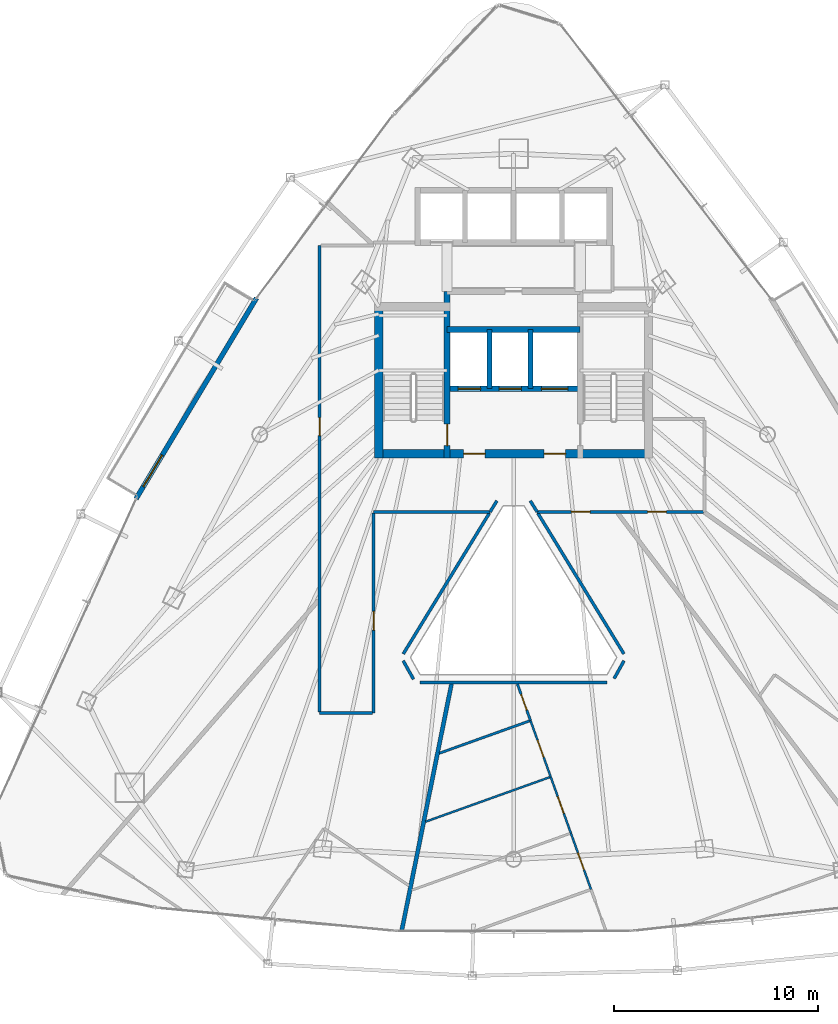
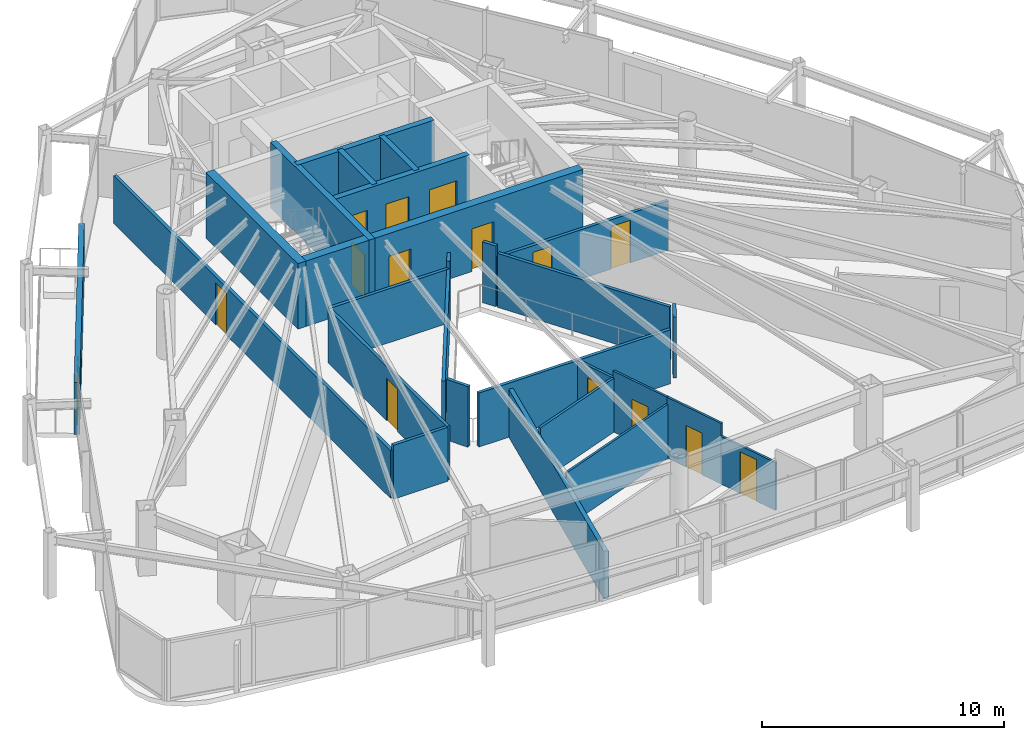
# One storey, part 25 of 30: 27 walls, 15 doors, 15 openings.
"""IFC4 building model written with IfcOpenShell, lengths in metres."""

from ifc_helpers import new_model, si_unit, direction, frame, frame_2d, origin, place, context, subcontext, project, spatial, rectangle, extrude, material, layer, layer_set, type_object, element, fill, save


model = new_model("IFC4")

# Units and contexts
model_context = context("Model", 3, precision=1e-05, world=origin(), true_north=direction((0.0, 1.0)))
body_context = subcontext(model_context, "Body", "Model", "MODEL_VIEW")
ifc_project = project(units=[si_unit("LENGTHUNIT", "METRE"), si_unit("AREAUNIT", "SQUARE_METRE"), si_unit("VOLUMEUNIT", "CUBIC_METRE"), si_unit("PLANEANGLEUNIT", "RADIAN"), si_unit("MASSUNIT", "GRAM", prefix="KILO")], contexts=[model_context])

# Site, building, storey
site_placement = place(None, origin())
site = spatial("IfcSite", under=ifc_project, at=site_placement, CompositionType="ELEMENT")
building_placement = place(site_placement, origin())
building = spatial("IfcBuilding", under=site, at=building_placement, Name="Orvanel Arch Residences", CompositionType="ELEMENT")
storey_placement = place(building_placement, frame((0.0, 0.0, 136.39990234375)))
storey = spatial("IfcBuildingStorey", under=building, at=storey_placement, Name="L38", CompositionType="ELEMENT", Elevation=136.39990234375)

# Wall, opening, door
ifc_material_1 = material(Name="Precast concrete N50 (50 MPa)", Category="concrete")
ifc_layer_1 = layer(ifc_material_1, 0.239990234375)
ifc_layer_set_1 = layer_set([ifc_layer_1], Name="Precast concrete N50 (50 MPa)")
wall_type_1 = type_object("IfcWallType", Name="EW-BAL-240", PredefinedType="SOLIDWALL", material=ifc_layer_set_1)
wall_1_placement = place(storey_placement, frame((20.407958984375, 34.326904296875, 0.0), z_axis=(0.0, 0.0, 1.0), x_axis=(-0.514364263751, -0.857571807009, 0.0)))
wall_1 = element("IfcWall", 1, at=wall_1_placement, inside=storey, type_object=wall_type_1, Name="L38 Balcony Threshold Wall Face 1", PredefinedType="SOLIDWALL", context=body_context, shape_type="SweptSolid", body=[
    extrude(rectangle(XDim=11.46826171875, YDim=0.239990234375, at=frame_2d((5.734130859375, 0.0))), origin(), (0.0, 0.0, 1.0), 2.6240234375),
])
opening_1_placement = place(wall_1_placement, frame((8.971923828125, 0.0, 0.0)))
opening_1 = element("IfcOpeningElement", 2, at=opening_1_placement, cuts=wall_1, Name="Opening DB-180", PredefinedType="OPENING", context=body_context, shape_type="SweptSolid", body=[
    extrude(rectangle(XDim=1.800048828125, YDim=2.199951171875, at=frame_2d((0.89990234375, 1.10009765625))), frame((0.0, 0.1298828125, 0.0), z_axis=(0.0, -1.0, 0.0), x_axis=(1.0, 0.0, 0.0)), (0.0, 0.0, 1.0), 0.260009765625),
])
ifc_material_2 = material(Name="Bronze-anodised aluminium AA6063-T6", Category="aluminium")
door_type_1 = type_object("IfcDoorType", Name="DR-BAL-1800", OperationType="NOTDEFINED", PredefinedType="DOOR", material=ifc_material_2)
door_1_placement = place(opening_1_placement, origin())
door_1 = element("IfcDoor", 3, at=door_1_placement, inside=storey, type_object=door_type_1, Name="DR-L38-BAL-F1 L38 Planted Balcony Access Door Face 1", OperationType="SINGLE_SWING_RIGHT", OverallHeight=2.199951171875, OverallWidth=1.800048828125, PredefinedType="DOOR", context=body_context, shape_type="SweptSolid", body=[
    extrude(rectangle(XDim=1.800048828125, YDim=2.199951171875, at=frame_2d((0.89990234375, 1.10009765625))), frame((0.0, 0.02490234375, 0.0), z_axis=(0.0, -1.0, 0.0), x_axis=(1.0, 0.0, 0.0)), (0.0, 0.0, 1.0), 0.050048828125),
])
fill(opening_1, door_1)

# Walls
ifc_material_3 = material(Name="Concrete N50 (50 MPa)", Category="concrete")
ifc_layer_2 = layer(ifc_material_3, 0.25)
ifc_layer_set_2 = layer_set([ifc_layer_2], Name="Concrete N50 (50 MPa)")
wall_type_2 = type_object("IfcWallType", Name="SW-CORE-250", PredefinedType="SHEAR", material=ifc_layer_set_2)
for number, where, z_axis, x_axis, name in (
    (4, (31.824951171875, 29.889892578125, 0.0), (0.0, 0.0, 1.0), (0.0, 1.0, 0.0), "L38 Emergency Lift Inter-Shaft Wall F12"),
    (5, (33.824951171875, 29.889892578125, 0.0), (0.0, 0.0, 1.0), (0.0, 1.0, 0.0), "L38 Emergency Lift Inter-Shaft Wall F2G"),
):
    element("IfcWall", number, at=place(storey_placement, frame(where, z_axis=z_axis, x_axis=x_axis)), inside=storey, type_object=wall_type_2, Name=name, PredefinedType="SHEAR", context=body_context, shape_type="SweptSolid", body=[
        extrude(rectangle(XDim=2.900146484375, YDim=0.25, at=frame_2d((1.4501953125, 0.0))), origin(), (0.0, 0.0, 1.0), 3.300048828125),
    ])

# Wall, opening, door
ifc_material_4 = material(Name="Concrete S65 (65 MPa)", Category="concrete")
ifc_layer_3 = layer(ifc_material_4, 0.280029296875)
ifc_layer_set_3 = layer_set([ifc_layer_3], Name="Concrete S65 (65 MPa)")
wall_type_3 = type_object("IfcWallType", Name="SW-CORE-280", PredefinedType="SHEAR", material=ifc_layer_set_3)
wall_2_placement = place(storey_placement, frame((29.739990234375, 26.5, 0.0), z_axis=(0.0, 0.0, 1.0), x_axis=(0.0, 1.0, 0.0)))
wall_2 = element("IfcWall", 6, at=wall_2_placement, inside=storey, type_object=wall_type_3, Name="L38 West Inner Core Spine Shear Wall", PredefinedType="SHEAR", context=body_context, shape_type="SweptSolid", body=[
    extrude(rectangle(XDim=8.14990234375, YDim=0.280029296875, at=frame_2d((4.074951171875, 0.0))), origin(), (0.0, 0.0, 1.0), 3.300048828125),
])
opening_2_placement = place(wall_2_placement, frame((0.60009765625, 0.0, 0.0)))
opening_2 = element("IfcOpeningElement", 7, at=opening_2_placement, cuts=wall_2, Name="Opening DF-120", PredefinedType="OPENING", context=body_context, shape_type="SweptSolid", body=[
    extrude(rectangle(XDim=1.050048828125, YDim=2.14990234375, at=frame_2d((0.52490234375, 1.074951171875))), frame((0.0, 0.14990234375, 0.0), z_axis=(0.0, -1.0, 0.0), x_axis=(1.0, 0.0, 0.0)), (0.0, 0.0, 1.0), 0.300048828125),
])
ifc_material_5 = material(Name="Galvanised steel fire-resisting door assembly", Category="steel")
door_type_2 = type_object("IfcDoorType", Name="DR-FD120-1050", OperationType="NOTDEFINED", PredefinedType="DOOR", material=ifc_material_5)
door_2_placement = place(opening_2_placement, origin())
door_2 = element("IfcDoor", 8, at=door_2_placement, inside=storey, type_object=door_type_2, Name="DR-L38-ST1 L38 Stair 1 Fire Door", OperationType="SINGLE_SWING_LEFT", OverallHeight=2.14990234375, OverallWidth=1.050048828125, PredefinedType="DOOR", context=body_context, shape_type="SweptSolid", body=[
    extrude(rectangle(XDim=1.050048828125, YDim=2.14990234375, at=frame_2d((0.52490234375, 1.074951171875))), frame((0.0, 0.02490234375, 0.0), z_axis=(0.0, -1.0, 0.0), x_axis=(1.0, 0.0, 0.0)), (0.0, 0.0, 1.0), 0.050048828125),
])
fill(opening_2, door_2)

# Wall, openings, doors
wall_3_placement = place(storey_placement, frame((36.260009765625, 29.889892578125, 0.0), z_axis=(0.0, 0.0, 1.0), x_axis=(-1.0, 0.0, 0.0)))
wall_3 = element("IfcWall", 9, at=wall_3_placement, inside=storey, type_object=wall_type_3, Name="L38 Emergency Lift Front Core Shear Wall", PredefinedType="SHEAR", context=body_context, shape_type="SweptSolid", body=[
    extrude(rectangle(XDim=6.52001953125, YDim=0.280029296875, at=frame_2d((3.260009765625, 0.0))), origin(), (0.0, 0.0, 1.0), 3.300048828125),
])
opening_3_placement = place(wall_3_placement, frame((4.875, 0.0, 0.0)))
opening_3 = element("IfcOpeningElement", 10, at=opening_3_placement, cuts=wall_3, Name="Opening LD-110", PredefinedType="OPENING", context=body_context, shape_type="SweptSolid", body=[
    extrude(rectangle(XDim=1.10009765625, YDim=2.199951171875, at=frame_2d((0.550048828125, 1.10009765625))), frame((0.0, 0.14990234375, 0.0), z_axis=(0.0, -1.0, 0.0), x_axis=(1.0, 0.0, 0.0)), (0.0, 0.0, 1.0), 0.300048828125),
])
opening_4_placement = place(wall_3_placement, frame((2.875, 0.0, 0.0)))
opening_4 = element("IfcOpeningElement", 11, at=opening_4_placement, cuts=wall_3, Name="Opening LD-110", PredefinedType="OPENING", context=body_context, shape_type="SweptSolid", body=[
    extrude(rectangle(XDim=1.10009765625, YDim=2.199951171875, at=frame_2d((0.550048828125, 1.10009765625))), frame((0.0, 0.14990234375, 0.0), z_axis=(0.0, -1.0, 0.0), x_axis=(1.0, 0.0, 0.0)), (0.0, 0.0, 1.0), 0.300048828125),
])
opening_5_placement = place(wall_3_placement, frame((0.60009765625, 0.0, 0.0)))
opening_5 = element("IfcOpeningElement", 12, at=opening_5_placement, cuts=wall_3, Name="Opening LD-130", PredefinedType="OPENING", context=body_context, shape_type="SweptSolid", body=[
    extrude(rectangle(XDim=1.300048828125, YDim=2.199951171875, at=frame_2d((0.64990234375, 1.10009765625))), frame((0.0, 0.14990234375, 0.0), z_axis=(0.0, -1.0, 0.0), x_axis=(1.0, 0.0, 0.0)), (0.0, 0.0, 1.0), 0.300048828125),
])
door_type_3 = type_object("IfcDoorType", Name="DR-LFT-1100", OperationType="NOTDEFINED", PredefinedType="DOOR", material=ifc_material_5)
door_3_placement = place(opening_3_placement, origin())
door_3 = element("IfcDoor", 13, at=door_3_placement, inside=storey, type_object=door_type_3, Name="LD-F1-L38 L38 Lift F1 Sliding Landing Door", OperationType="DOUBLE_DOOR_SLIDING", OverallHeight=2.199951171875, OverallWidth=1.10009765625, PredefinedType="DOOR", context=body_context, shape_type="SweptSolid", body=[
    extrude(rectangle(XDim=1.10009765625, YDim=2.199951171875, at=frame_2d((0.550048828125, 1.10009765625))), frame((0.0, 0.02490234375, 0.0), z_axis=(0.0, -1.0, 0.0), x_axis=(1.0, 0.0, 0.0)), (0.0, 0.0, 1.0), 0.050048828125),
])
fill(opening_3, door_3)
door_4_placement = place(opening_4_placement, origin())
door_4 = element("IfcDoor", 14, at=door_4_placement, inside=storey, type_object=door_type_3, Name="LD-F2-L38 L38 Lift F2 Sliding Landing Door", OperationType="DOUBLE_DOOR_SLIDING", OverallHeight=2.199951171875, OverallWidth=1.10009765625, PredefinedType="DOOR", context=body_context, shape_type="SweptSolid", body=[
    extrude(rectangle(XDim=1.10009765625, YDim=2.199951171875, at=frame_2d((0.550048828125, 1.10009765625))), frame((0.0, 0.02490234375, 0.0), z_axis=(0.0, -1.0, 0.0), x_axis=(1.0, 0.0, 0.0)), (0.0, 0.0, 1.0), 0.050048828125),
])
fill(opening_4, door_4)
door_type_4 = type_object("IfcDoorType", Name="DR-LFT-1300", OperationType="NOTDEFINED", PredefinedType="DOOR", material=ifc_material_5)
door_5_placement = place(opening_5_placement, origin())
door_5 = element("IfcDoor", 15, at=door_5_placement, inside=storey, type_object=door_type_4, Name="LD-G1-L38 L38 Lift G1 Sliding Landing Door", OperationType="DOUBLE_DOOR_SLIDING", OverallHeight=2.199951171875, OverallWidth=1.300048828125, PredefinedType="DOOR", context=body_context, shape_type="SweptSolid", body=[
    extrude(rectangle(XDim=1.300048828125, YDim=2.199951171875, at=frame_2d((0.64990234375, 1.10009765625))), frame((0.0, 0.02490234375, 0.0), z_axis=(0.0, -1.0, 0.0), x_axis=(1.0, 0.0, 0.0)), (0.0, 0.0, 1.0), 0.050048828125),
])
fill(opening_5, door_5)

# Wall
wall_4_placement = place(storey_placement, frame((29.739990234375, 32.7900390625, 0.0), z_axis=(0.0, 0.0, 1.0), x_axis=(1.0, 0.0, 0.0)))
element("IfcWall", 16, at=wall_4_placement, inside=storey, type_object=wall_type_3, Name="L38 Emergency Lift Back Core Shear Wall", PredefinedType="SHEAR", context=body_context, shape_type="SweptSolid", body=[
    extrude(rectangle(XDim=6.52001953125, YDim=0.280029296875, at=frame_2d((3.260009765625, 0.0))), origin(), (0.0, 0.0, 1.0), 3.300048828125),
])

# Wall, openings, doors
ifc_layer_4 = layer(ifc_material_4, 0.39990234375)
ifc_layer_set_4 = layer_set([ifc_layer_4], Name="Concrete S65 (65 MPa)")
wall_type_4 = type_object("IfcWallType", Name="SW-CORE-400", PredefinedType="SHEAR", material=ifc_layer_set_4)
wall_5_placement = place(storey_placement, frame((26.199951171875, 26.699951171875, 0.0), z_axis=(0.0, 0.0, 1.0), x_axis=(1.0, 0.0, 0.0)))
wall_5 = element("IfcWall", 17, at=wall_5_placement, inside=storey, type_object=wall_type_4, Name="L38 South Core Shear Wall", PredefinedType="SHEAR", context=body_context, shape_type="SweptSolid", body=[
    extrude(rectangle(XDim=13.60009765625, YDim=0.39990234375, at=frame_2d((6.800048828125, 0.0))), origin(), (0.0, 0.0, 1.0), 3.300048828125),
])
opening_6_placement = place(wall_5_placement, frame((4.35009765625, 0.0, 0.0)))
opening_6 = element("IfcOpeningElement", 18, at=opening_6_placement, cuts=wall_5, Name="Opening DF-060", PredefinedType="OPENING", context=body_context, shape_type="SweptSolid", body=[
    extrude(rectangle(XDim=1.050048828125, YDim=2.14990234375, at=frame_2d((0.52490234375, 1.074951171875))), frame((0.0, 0.2099609375, 0.0), z_axis=(0.0, -1.0, 0.0), x_axis=(1.0, 0.0, 0.0)), (0.0, 0.0, 1.0), 0.419921875),
])
opening_7_placement = place(wall_5_placement, frame((8.300048828125, 0.0, 0.0)))
opening_7 = element("IfcOpeningElement", 19, at=opening_7_placement, cuts=wall_5, Name="Opening DF-060", PredefinedType="OPENING", context=body_context, shape_type="SweptSolid", body=[
    extrude(rectangle(XDim=1.050048828125, YDim=2.14990234375, at=frame_2d((0.52490234375, 1.074951171875))), frame((0.0, 0.2099609375, 0.0), z_axis=(0.0, -1.0, 0.0), x_axis=(1.0, 0.0, 0.0)), (0.0, 0.0, 1.0), 0.419921875),
])
door_type_5 = type_object("IfcDoorType", Name="DR-FD60-1050", OperationType="NOTDEFINED", PredefinedType="DOOR", material=ifc_material_5)
door_6_placement = place(opening_6_placement, origin())
door_6 = element("IfcDoor", 20, at=door_6_placement, inside=storey, type_object=door_type_5, Name="DR-L38-FFL-W L38 West Smoke Lobby Door", OperationType="SINGLE_SWING_LEFT", OverallHeight=2.14990234375, OverallWidth=1.050048828125, PredefinedType="DOOR", context=body_context, shape_type="SweptSolid", body=[
    extrude(rectangle(XDim=1.050048828125, YDim=2.14990234375, at=frame_2d((0.52490234375, 1.074951171875))), frame((0.0, 0.02490234375, 0.0), z_axis=(0.0, -1.0, 0.0), x_axis=(1.0, 0.0, 0.0)), (0.0, 0.0, 1.0), 0.050048828125),
])
fill(opening_6, door_6)
door_7_placement = place(opening_7_placement, origin())
door_7 = element("IfcDoor", 21, at=door_7_placement, inside=storey, type_object=door_type_5, Name="DR-L38-FFL-E L38 East Smoke Lobby Door", OperationType="SINGLE_SWING_RIGHT", OverallHeight=2.14990234375, OverallWidth=1.050048828125, PredefinedType="DOOR", context=body_context, shape_type="SweptSolid", body=[
    extrude(rectangle(XDim=1.050048828125, YDim=2.14990234375, at=frame_2d((0.52490234375, 1.074951171875))), frame((0.0, 0.02490234375, 0.0), z_axis=(0.0, -1.0, 0.0), x_axis=(1.0, 0.0, 0.0)), (0.0, 0.0, 1.0), 0.050048828125),
])
fill(opening_7, door_7)

# Walls
wall_6_placement = place(storey_placement, frame((26.39990234375, 26.5, 0.0), z_axis=(0.0, 0.0, 1.0), x_axis=(0.0, 1.0, 0.0)))
element("IfcWall", 22, at=wall_6_placement, inside=storey, type_object=wall_type_4, Name="L38 West Stair Shear Wall", PredefinedType="SHEAR", context=body_context, shape_type="SweptSolid", body=[
    extrude(rectangle(XDim=7.60009765625, YDim=0.39990234375, at=frame_2d((3.800048828125, 0.0))), origin(), (0.0, 0.0, 1.0), 3.300048828125),
])
ifc_material_6 = material(Name="Fire-rated plasterboard lined steel stud partition", Category="steel")
ifc_layer_5 = layer(ifc_material_6, 0.14990234375)
ifc_layer_set_5 = layer_set([ifc_layer_5], Name="Fire-rated plasterboard lined steel stud partition")
wall_type_5 = type_object("IfcWallType", Name="W-COR-150", PredefinedType="PARTITIONING", material=ifc_layer_set_5)
wall_7_placement = place(storey_placement, frame((32.18310546875, 24.39599609375, 0.0), z_axis=(0.0, 0.0, 1.0), x_axis=(-0.527674894897, -0.849446411079, 0.0)))
element("IfcWall", 23, at=wall_7_placement, inside=storey, type_object=wall_type_5, Name="L38 Corridor Fire-Rated Partition", PredefinedType="PARTITIONING", context=body_context, shape_type="SweptSolid", body=[
    extrude(rectangle(XDim=0.642578125, YDim=0.14990234375, at=frame_2d((0.3212890625, 0.0))), origin(), (0.0, 0.0, 1.0), 3.06005859375),
])
wall_8_placement = place(storey_placement, frame((31.843994140625, 23.85009765625, 0.0), z_axis=(0.0, 0.0, 1.0), x_axis=(-1.0, 0.0, 0.0)))
element("IfcWall", 24, at=wall_8_placement, inside=storey, type_object=wall_type_5, Name="L38 Corridor Fire-Rated Partition", PredefinedType="PARTITIONING", context=body_context, shape_type="SweptSolid", body=[
    extrude(rectangle(XDim=5.694091796875, YDim=0.14990234375, at=frame_2d((2.84716796875, 0.0))), origin(), (0.0, 0.0, 1.0), 2.72119140625),
])

# Wall, opening, door
wall_9_placement = place(storey_placement, frame((26.14990234375, 23.7900390625, 0.0), z_axis=(0.0, 0.0, 1.0), x_axis=(0.0, -1.0, 0.0)))
wall_9 = element("IfcWall", 25, at=wall_9_placement, inside=storey, type_object=wall_type_5, Name="L38 Corridor Fire-Rated Partition", PredefinedType="PARTITIONING", context=body_context, shape_type="SweptSolid", body=[
    extrude(rectangle(XDim=9.7900390625, YDim=0.14990234375, at=frame_2d((4.89501953125, 0.0))), origin(), (0.0, 0.0, 1.0), 2.72119140625),
])
opening_8_placement = place(wall_9_placement, frame((4.80908203125, 0.0, 0.0)))
opening_8 = element("IfcOpeningElement", 26, at=opening_8_placement, cuts=wall_9, Name="Opening DA-092", PredefinedType="OPENING", context=body_context, shape_type="SweptSolid", body=[
    extrude(rectangle(XDim=0.919921875, YDim=2.14990234375, at=frame_2d((0.4599609375, 1.074951171875))), frame((0.0, 0.0849609375, 0.0), z_axis=(0.0, -1.0, 0.0), x_axis=(1.0, 0.0, 0.0)), (0.0, 0.0, 1.0), 0.169921875),
])
ifc_material_7 = material(Name="Solid-core European oak veneer fire door leaf", Category="wood")
door_type_6 = type_object("IfcDoorType", Name="DR-APT-920", OperationType="NOTDEFINED", PredefinedType="DOOR", material=ifc_material_7)
door_8_placement = place(opening_8_placement, origin())
door_8 = element("IfcDoor", 27, at=door_8_placement, inside=storey, type_object=door_type_6, Name="DR-L38-D-ENT L38 Studio D Entrance Door", OperationType="SINGLE_SWING_LEFT", OverallHeight=2.14990234375, OverallWidth=0.919921875, PredefinedType="DOOR", context=body_context, shape_type="SweptSolid", body=[
    extrude(rectangle(XDim=0.919921875, YDim=2.14990234375, at=frame_2d((0.4599609375, 1.074951171875))), frame((0.0, 0.02490234375, 0.0), z_axis=(0.0, -1.0, 0.0), x_axis=(1.0, 0.0, 0.0)), (0.0, 0.0, 1.0), 0.050048828125),
])
fill(opening_8, door_8)

# Wall
wall_10_placement = place(storey_placement, frame((26.090087890625, 14.0, 0.0), z_axis=(0.0, 0.0, 1.0), x_axis=(-1.0, 0.0, 0.0)))
element("IfcWall", 28, at=wall_10_placement, inside=storey, type_object=wall_type_5, Name="L38 Corridor Fire-Rated Partition", PredefinedType="PARTITIONING", context=body_context, shape_type="SweptSolid", body=[
    extrude(rectangle(XDim=2.590087890625, YDim=0.14990234375, at=frame_2d((1.294921875, 0.0))), origin(), (0.0, 0.0, 1.0), 2.72119140625),
])

# Wall, opening, door
wall_11_placement = place(storey_placement, frame((23.5, 14.06005859375, 0.0), z_axis=(0.0, 0.0, 1.0), x_axis=(0.0, 1.0, 0.0)))
wall_11 = element("IfcWall", 29, at=wall_11_placement, inside=storey, type_object=wall_type_5, Name="L38 Corridor Fire-Rated Partition", PredefinedType="PARTITIONING", context=body_context, shape_type="SweptSolid", body=[
    extrude(rectangle(XDim=22.83984375, YDim=0.14990234375, at=frame_2d((11.419921875, 0.0))), origin(), (0.0, 0.0, 1.0), 2.4130859375),
])
opening_9_placement = place(wall_11_placement, frame((13.532958984375, 0.0, 0.0)))
opening_9 = element("IfcOpeningElement", 30, at=opening_9_placement, cuts=wall_11, Name="Opening DI-088", PredefinedType="OPENING", context=body_context, shape_type="SweptSolid", body=[
    extrude(rectangle(XDim=0.8798828125, YDim=2.10009765625, at=frame_2d((0.43994140625, 1.050048828125))), frame((0.0, 0.0849609375, 0.0), z_axis=(0.0, -1.0, 0.0), x_axis=(1.0, 0.0, 0.0)), (0.0, 0.0, 1.0), 0.169921875),
])
door_type_7 = type_object("IfcDoorType", Name="DR-INT-880", OperationType="NOTDEFINED", PredefinedType="DOOR", material=ifc_material_7)
door_9_placement = place(opening_9_placement, origin())
door_9 = element("IfcDoor", 31, at=door_9_placement, inside=storey, type_object=door_type_7, Name="DR-L38-SHRD-FB3 L38 Co-Working Study Office C Door", OperationType="SINGLE_SWING_LEFT", OverallHeight=2.10009765625, OverallWidth=0.8798828125, PredefinedType="DOOR", context=body_context, shape_type="SweptSolid", body=[
    extrude(rectangle(XDim=0.8798828125, YDim=2.10009765625, at=frame_2d((0.43994140625, 1.050048828125))), frame((0.0, 0.02490234375, 0.0), z_axis=(0.0, -1.0, 0.0), x_axis=(1.0, 0.0, 0.0)), (0.0, 0.0, 1.0), 0.050048828125),
])
fill(opening_9, door_9)

# Wall, openings, doors
wall_12_placement = place(storey_placement, frame((42.2900390625, 23.85009765625, 0.0), z_axis=(0.0, 0.0, 1.0), x_axis=(-1.0, 0.0, 0.0)))
wall_12 = element("IfcWall", 32, at=wall_12_placement, inside=storey, type_object=wall_type_5, Name="L38 Corridor Fire-Rated Partition", PredefinedType="PARTITIONING", context=body_context, shape_type="SweptSolid", body=[
    extrude(rectangle(XDim=8.134033203125, YDim=0.14990234375, at=frame_2d((4.06689453125, 0.0))), origin(), (0.0, 0.0, 1.0), 2.4921875),
])
opening_10_placement = place(wall_12_placement, frame((5.5458984375, 0.0, 0.0)))
opening_10 = element("IfcOpeningElement", 33, at=opening_10_placement, cuts=wall_12, Name="Opening DA-092", PredefinedType="OPENING", context=body_context, shape_type="SweptSolid", body=[
    extrude(rectangle(XDim=0.919921875, YDim=2.14990234375, at=frame_2d((0.4599609375, 1.074951171875))), frame((0.0, 0.0849609375, 0.0), z_axis=(0.0, -1.0, 0.0), x_axis=(1.0, 0.0, 0.0)), (0.0, 0.0, 1.0), 0.169921875),
])
opening_11_placement = place(wall_12_placement, frame((1.806884765625, 0.0, 0.0)))
opening_11 = element("IfcOpeningElement", 34, at=opening_11_placement, cuts=wall_12, Name="Opening DA-092", PredefinedType="OPENING", context=body_context, shape_type="SweptSolid", body=[
    extrude(rectangle(XDim=0.919921875, YDim=2.14990234375, at=frame_2d((0.4599609375, 1.074951171875))), frame((0.0, 0.0849609375, 0.0), z_axis=(0.0, -1.0, 0.0), x_axis=(1.0, 0.0, 0.0)), (0.0, 0.0, 1.0), 0.169921875),
])
door_10_placement = place(opening_10_placement, origin())
door_10 = element("IfcDoor", 35, at=door_10_placement, inside=storey, type_object=door_type_6, Name="DR-L38-A-ENT L38 Flat A Entrance Door", OperationType="SINGLE_SWING_RIGHT", OverallHeight=2.14990234375, OverallWidth=0.919921875, PredefinedType="DOOR", context=body_context, shape_type="SweptSolid", body=[
    extrude(rectangle(XDim=0.919921875, YDim=2.14990234375, at=frame_2d((0.4599609375, 1.074951171875))), frame((0.0, 0.02490234375, 0.0), z_axis=(0.0, -1.0, 0.0), x_axis=(1.0, 0.0, 0.0)), (0.0, 0.0, 1.0), 0.050048828125),
])
fill(opening_10, door_10)
door_11_placement = place(opening_11_placement, origin())
door_11 = element("IfcDoor", 36, at=door_11_placement, inside=storey, type_object=door_type_6, Name="DR-L38-E-ENT L38 Studio E Entrance Door", OperationType="SINGLE_SWING_RIGHT", OverallHeight=2.14990234375, OverallWidth=0.919921875, PredefinedType="DOOR", context=body_context, shape_type="SweptSolid", body=[
    extrude(rectangle(XDim=0.919921875, YDim=2.14990234375, at=frame_2d((0.4599609375, 1.074951171875))), frame((0.0, 0.02490234375, 0.0), z_axis=(0.0, -1.0, 0.0), x_axis=(1.0, 0.0, 0.0)), (0.0, 0.0, 1.0), 0.050048828125),
])
fill(opening_11, door_11)

# Walls
wall_13_placement = place(storey_placement, frame((34.156005859375, 23.85107421875, 0.0), z_axis=(0.0, 0.0, 1.0), x_axis=(-0.528356729584, 0.849022476913, 0.0)))
element("IfcWall", 37, at=wall_13_placement, inside=storey, type_object=wall_type_5, Name="L38 Corridor Fire-Rated Partition", PredefinedType="PARTITIONING", context=body_context, shape_type="SweptSolid", body=[
    extrude(rectangle(XDim=0.641845703125, YDim=0.14990234375, at=frame_2d((0.32080078125, 0.0))), origin(), (0.0, 0.0, 1.0), 3.06005859375),
])
wall_14_placement = place(storey_placement, frame((34.18798828125, 23.7900390625, 0.0), z_axis=(0.0, 0.0, 1.0), x_axis=(0.521816809014, -0.853057570057, 0.0)))
element("IfcWall", 38, at=wall_14_placement, inside=storey, type_object=wall_type_5, Name="L38 Atrium Overlook Glazed Partition", PredefinedType="PARTITIONING", context=body_context, shape_type="SweptSolid", body=[
    extrude(rectangle(XDim=8.075927734375, YDim=0.14990234375, at=frame_2d((4.0380859375, 0.0))), origin(), (0.0, 0.0, 1.0), 2.72119140625),
])
wall_15_placement = place(storey_placement, frame((38.407958984375, 16.56494140625, 0.0), z_axis=(0.0, 0.0, 1.0), x_axis=(-0.48761814532, -0.873057010942, 0.0)))
element("IfcWall", 39, at=wall_15_placement, inside=storey, type_object=wall_type_5, Name="L38 Atrium Overlook Glazed Partition", PredefinedType="PARTITIONING", context=body_context, shape_type="SweptSolid", body=[
    extrude(rectangle(XDim=0.996337890625, YDim=0.14990234375, at=frame_2d((0.498046875, 0.0))), origin(), (0.0, 0.0, 1.0), 3.06005859375),
])
wall_16_placement = place(storey_placement, frame((37.573974609375, 15.490966796875, 0.0), z_axis=(0.0, 0.0, 1.0), x_axis=(-1.0, 0.0, 0.0)))
element("IfcWall", 40, at=wall_16_placement, inside=storey, type_object=wall_type_5, Name="L38 Atrium Overlook Glazed Partition", PredefinedType="PARTITIONING", context=body_context, shape_type="SweptSolid", body=[
    extrude(rectangle(XDim=9.14794921875, YDim=0.14990234375, at=frame_2d((4.573974609375, 0.0))), origin(), (0.0, 0.0, 1.0), 2.72119140625),
])
wall_17_placement = place(storey_placement, frame((28.097900390625, 15.662109375, 0.0), z_axis=(0.0, 0.0, 1.0), x_axis=(-0.488804496818, 0.872393353878, 0.0)))
element("IfcWall", 41, at=wall_17_placement, inside=storey, type_object=wall_type_5, Name="L38 Atrium Overlook Glazed Partition", PredefinedType="PARTITIONING", context=body_context, shape_type="SweptSolid", body=[
    extrude(rectangle(XDim=1.034912109375, YDim=0.14990234375, at=frame_2d((0.517578125, 0.0))), origin(), (0.0, 0.0, 1.0), 3.06005859375),
])
wall_18_placement = place(storey_placement, frame((27.597900390625, 16.90087890625, 0.0), z_axis=(0.0, 0.0, 1.0), x_axis=(0.521816809014, 0.853057570057, 0.0)))
element("IfcWall", 42, at=wall_18_placement, inside=storey, type_object=wall_type_5, Name="L38 Atrium Overlook Glazed Partition", PredefinedType="PARTITIONING", context=body_context, shape_type="SweptSolid", body=[
    extrude(rectangle(XDim=8.075927734375, YDim=0.14990234375, at=frame_2d((4.0380859375, 0.0))), origin(), (0.0, 0.0, 1.0), 2.72119140625),
])
ifc_layer_6 = layer(ifc_material_6, 0.199951171875)
ifc_layer_set_6 = layer_set([ifc_layer_6], Name="Fire-rated plasterboard lined steel stud partition")
wall_type_6 = type_object("IfcWallType", Name="W-DEM-200", PredefinedType="PARTITIONING", material=ifc_layer_set_6)
wall_19_placement = place(storey_placement, frame((27.52099609375, 3.342041015625, 0.0), z_axis=(0.0, 0.0, 1.0), x_axis=(0.197768112081, 0.980248832615, 0.0)))
element("IfcWall", 43, at=wall_19_placement, inside=storey, type_object=wall_type_6, Name="L38 Inter-Tenancy Acoustic Demising Wall", PredefinedType="PARTITIONING", context=body_context, shape_type="SweptSolid", body=[
    extrude(rectangle(XDim=12.33251953125, YDim=0.199951171875, at=frame_2d((6.166259765625, 0.0))), origin(), (0.0, 0.0, 1.0), 2.4130859375),
])

# Wall, opening, door
ifc_material_8 = material(Name="Acoustic plasterboard lined twin-stud partition", Category="gypsum")
ifc_layer_7 = layer(ifc_material_8, 0.10009765625)
ifc_layer_set_7 = layer_set([ifc_layer_7], Name="Acoustic plasterboard lined twin-stud partition")
wall_type_7 = type_object("IfcWallType", Name="W-INT-100", PredefinedType="PARTITIONING", material=ifc_layer_set_7)
wall_20_placement = place(storey_placement, frame((36.7919921875, 5.365966796875, 0.0), z_axis=(0.0, 0.0, 1.0), x_axis=(-0.33735537207, 0.941377370099, 0.0)))
wall_20 = element("IfcWall", 44, at=wall_20_placement, inside=storey, type_object=wall_type_7, Name="L38 Flat A Internal Partition", PredefinedType="PARTITIONING", context=body_context, shape_type="SweptSolid", body=[
    extrude(rectangle(XDim=2.9287109375, YDim=0.10009765625, at=frame_2d((1.46435546875, 0.0))), origin(), (0.0, 0.0, 1.0), 2.4130859375),
])
opening_12_placement = place(wall_20_placement, frame((1.02392578125, 0.0, 0.0)))
opening_12 = element("IfcOpeningElement", 45, at=opening_12_placement, cuts=wall_20, Name="Opening DI-088", PredefinedType="OPENING", context=body_context, shape_type="SweptSolid", body=[
    extrude(rectangle(XDim=0.8798828125, YDim=2.10009765625, at=frame_2d((0.43994140625, 1.050048828125))), frame((0.0, 0.06005859375, 0.0), z_axis=(0.0, -1.0, 0.0), x_axis=(1.0, 0.0, 0.0)), (0.0, 0.0, 1.0), 0.1201171875),
])
door_12_placement = place(opening_12_placement, origin())
door_12 = element("IfcDoor", 46, at=door_12_placement, inside=storey, type_object=door_type_7, Name="DR-L38-A-BED1 L38 Flat A Bedroom 1 Door", OperationType="SINGLE_SWING_LEFT", OverallHeight=2.10009765625, OverallWidth=0.8798828125, PredefinedType="DOOR", context=body_context, shape_type="SweptSolid", body=[
    extrude(rectangle(XDim=0.8798828125, YDim=2.10009765625, at=frame_2d((0.43994140625, 1.050048828125))), frame((0.0, 0.02490234375, 0.0), z_axis=(0.0, -1.0, 0.0), x_axis=(1.0, 0.0, 0.0)), (0.0, 0.0, 1.0), 0.050048828125),
])
fill(opening_12, door_12)

wall_21_placement = place(storey_placement, frame((35.803955078125, 8.123046875, 0.0), z_axis=(0.0, 0.0, 1.0), x_axis=(-0.337381847176, 0.941367881965, 0.0)))
wall_21 = element("IfcWall", 47, at=wall_21_placement, inside=storey, type_object=wall_type_7, Name="L38 Flat A Internal Partition", PredefinedType="PARTITIONING", context=body_context, shape_type="SweptSolid", body=[
    extrude(rectangle(XDim=2.928466796875, YDim=0.10009765625, at=frame_2d((1.46435546875, 0.0))), origin(), (0.0, 0.0, 1.0), 3.06005859375),
])
opening_13_placement = place(wall_21_placement, frame((1.02392578125, 0.0, 0.0)))
opening_13 = element("IfcOpeningElement", 48, at=opening_13_placement, cuts=wall_21, Name="Opening DI-088", PredefinedType="OPENING", context=body_context, shape_type="SweptSolid", body=[
    extrude(rectangle(XDim=0.8798828125, YDim=2.10009765625, at=frame_2d((0.43994140625, 1.050048828125))), frame((0.0, 0.06005859375, 0.0), z_axis=(0.0, -1.0, 0.0), x_axis=(1.0, 0.0, 0.0)), (0.0, 0.0, 1.0), 0.1201171875),
])
door_13_placement = place(opening_13_placement, origin())
door_13 = element("IfcDoor", 49, at=door_13_placement, inside=storey, type_object=door_type_7, Name="DR-L38-A-AME3 L38 Flat A Resident Reading Library 2 Door", OperationType="SINGLE_SWING_LEFT", OverallHeight=2.10009765625, OverallWidth=0.8798828125, PredefinedType="DOOR", context=body_context, shape_type="SweptSolid", body=[
    extrude(rectangle(XDim=0.8798828125, YDim=2.10009765625, at=frame_2d((0.43994140625, 1.050048828125))), frame((0.0, 0.02490234375, 0.0), z_axis=(0.0, -1.0, 0.0), x_axis=(1.0, 0.0, 0.0)), (0.0, 0.0, 1.0), 0.050048828125),
])
fill(opening_13, door_13)

wall_22_placement = place(storey_placement, frame((34.81591796875, 10.8798828125, 0.0), z_axis=(0.0, 0.0, 1.0), x_axis=(-0.337756804272, 0.941233414817, 0.0)))
wall_22 = element("IfcWall", 50, at=wall_22_placement, inside=storey, type_object=wall_type_7, Name="L38 Flat A Internal Partition", PredefinedType="PARTITIONING", context=body_context, shape_type="SweptSolid", body=[
    extrude(rectangle(XDim=2.92822265625, YDim=0.10009765625, at=frame_2d((1.464111328125, 0.0))), origin(), (0.0, 0.0, 1.0), 3.06005859375),
])
opening_14_placement = place(wall_22_placement, frame((1.02392578125, 0.0, 0.0)))
opening_14 = element("IfcOpeningElement", 51, at=opening_14_placement, cuts=wall_22, Name="Opening DI-088", PredefinedType="OPENING", context=body_context, shape_type="SweptSolid", body=[
    extrude(rectangle(XDim=0.8798828125, YDim=2.10009765625, at=frame_2d((0.43994140625, 1.050048828125))), frame((0.0, 0.06005859375, 0.0), z_axis=(0.0, -1.0, 0.0), x_axis=(1.0, 0.0, 0.0)), (0.0, 0.0, 1.0), 0.1201171875),
])
door_14_placement = place(opening_14_placement, origin())
door_14 = element("IfcDoor", 52, at=door_14_placement, inside=storey, type_object=door_type_7, Name="DR-L38-A-DIN4 L38 Flat A Dining Room 4 Door", OperationType="SINGLE_SWING_LEFT", OverallHeight=2.10009765625, OverallWidth=0.8798828125, PredefinedType="DOOR", context=body_context, shape_type="SweptSolid", body=[
    extrude(rectangle(XDim=0.8798828125, YDim=2.10009765625, at=frame_2d((0.43994140625, 1.050048828125))), frame((0.0, 0.02490234375, 0.0), z_axis=(0.0, -1.0, 0.0), x_axis=(1.0, 0.0, 0.0)), (0.0, 0.0, 1.0), 0.050048828125),
])
fill(opening_14, door_14)

# Wall
wall_23_placement = place(storey_placement, frame((28.68505859375, 8.681884765625, 0.0), z_axis=(0.0, 0.0, 1.0), x_axis=(0.94133243901, 0.337480724291, 0.0)))
element("IfcWall", 53, at=wall_23_placement, inside=storey, type_object=wall_type_7, Name="L38 Flat A Internal Partition", PredefinedType="PARTITIONING", context=body_context, shape_type="SweptSolid", body=[
    extrude(rectangle(XDim=6.512939453125, YDim=0.10009765625, at=frame_2d((3.25634765625, 0.0))), origin(), (0.0, 0.0, 1.0), 2.72119140625),
])

# Wall, opening, door
ifc_layer_8 = layer(ifc_material_8, 0.1201171875)
ifc_layer_set_8 = layer_set([ifc_layer_8], Name="Acoustic plasterboard lined twin-stud partition")
wall_type_8 = type_object("IfcWallType", Name="W-WET-120", PredefinedType="PARTITIONING", material=ifc_layer_set_8)
wall_24_placement = place(storey_placement, frame((33.826904296875, 13.635986328125, 0.0), z_axis=(0.0, 0.0, 1.0), x_axis=(-0.337163686904, 0.941446041063, 0.0)))
wall_24 = element("IfcWall", 54, at=wall_24_placement, inside=storey, type_object=wall_type_8, Name="L38 Flat A Bathroom Partition", PredefinedType="PARTITIONING", context=body_context, shape_type="SweptSolid", body=[
    extrude(rectangle(XDim=1.906494140625, YDim=0.1201171875, at=frame_2d((0.953125, 0.0))), origin(), (0.0, 0.0, 1.0), 2.72119140625),
])
opening_15_placement = place(wall_24_placement, frame((0.54296875, 0.0, 0.0)))
opening_15 = element("IfcOpeningElement", 55, at=opening_15_placement, cuts=wall_24, Name="Opening DW-082", PredefinedType="OPENING", context=body_context, shape_type="SweptSolid", body=[
    extrude(rectangle(XDim=0.820068359375, YDim=2.10009765625, at=frame_2d((0.41015625, 1.050048828125))), frame((0.0, 0.070068359375, 0.0), z_axis=(0.0, -1.0, 0.0), x_axis=(1.0, 0.0, 0.0)), (0.0, 0.0, 1.0), 0.14013671875),
])
door_type_8 = type_object("IfcDoorType", Name="DR-WET-820", OperationType="NOTDEFINED", PredefinedType="DOOR", material=ifc_material_7)
door_15_placement = place(opening_15_placement, origin())
door_15 = element("IfcDoor", 56, at=door_15_placement, inside=storey, type_object=door_type_8, Name="DR-L38-A-BATH L38 Flat A Bathroom Door", OperationType="SINGLE_SWING_RIGHT", OverallHeight=2.10009765625, OverallWidth=0.820068359375, PredefinedType="DOOR", context=body_context, shape_type="SweptSolid", body=[
    extrude(rectangle(XDim=0.820068359375, YDim=2.10009765625, at=frame_2d((0.41015625, 1.050048828125))), frame((0.0, 0.02490234375, 0.0), z_axis=(0.0, -1.0, 0.0), x_axis=(1.0, 0.0, 0.0)), (0.0, 0.0, 1.0), 0.050048828125),
])
fill(opening_15, door_15)

# Wall
wall_25_placement = place(storey_placement, frame((33.826904296875, 13.635986328125, 0.0), z_axis=(0.0, 0.0, 1.0), x_axis=(-0.941307932725, -0.337549071676, 0.0)))
element("IfcWall", 57, at=wall_25_placement, inside=storey, type_object=wall_type_8, Name="L38 Flat A Bathroom Partition", PredefinedType="PARTITIONING", context=body_context, shape_type="SweptSolid", body=[
    extrude(rectangle(XDim=4.7431640625, YDim=0.1201171875, at=frame_2d((2.37158203125, 0.0))), origin(), (0.0, 0.0, 1.0), 2.72119140625),
])

save(model, "model.ifc")
